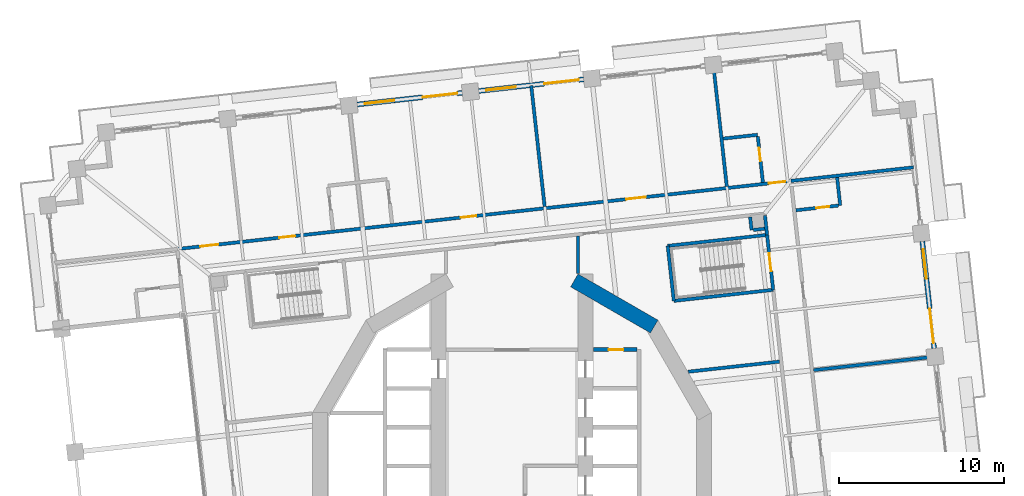
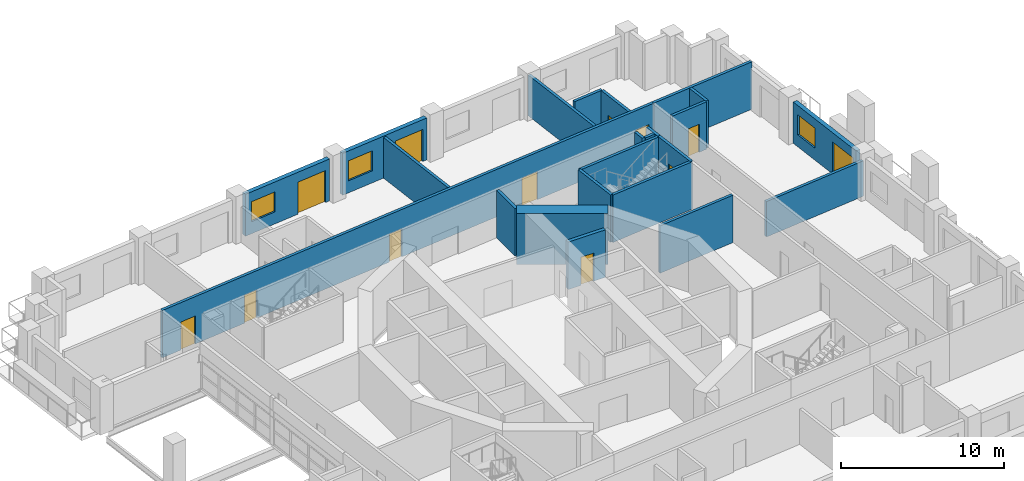
# One storey, part 12 of 21: 23 walls, 12 doors, 3 windows, 15 openings.
"""IFC4 building model written with IfcOpenShell, lengths in metres."""

from ifc_helpers import new_model, si_unit, direction, frame, frame_2d, origin, place, context, subcontext, project, spatial, rectangle, extrude, material, layer, layer_set, type_object, element, fill, save


model = new_model("IFC4")

# Units and contexts
model_context = context("Model", 3, precision=1e-05, world=origin(), true_north=direction((0.0, 1.0)))
body_context = subcontext(model_context, "Body", "Model", "MODEL_VIEW")
ifc_project = project(units=[si_unit("LENGTHUNIT", "METRE"), si_unit("AREAUNIT", "SQUARE_METRE"), si_unit("VOLUMEUNIT", "CUBIC_METRE"), si_unit("PLANEANGLEUNIT", "RADIAN"), si_unit("MASSUNIT", "GRAM", prefix="KILO")], contexts=[model_context])

# Site, building, storey
site_placement = place(None, origin())
site = spatial("IfcSite", under=ifc_project, at=site_placement, CompositionType="ELEMENT")
building_placement = place(site_placement, origin())
building = spatial("IfcBuilding", under=site, at=building_placement, Name="Cantera Rosa Tower", CompositionType="ELEMENT")
storey_placement = place(building_placement, frame((0.0, 0.0, 69.10009765625)))
storey = spatial("IfcBuildingStorey", under=building, at=storey_placement, Name="L14", CompositionType="ELEMENT", Elevation=69.10009765625)

# Walls
ifc_material_1 = material(Name="Gypsum board partition")
ifc_layer_1 = layer(ifc_material_1, 0.199951171875)
ifc_layer_set_1 = layer_set([ifc_layer_1], Name="CORRIDOR WALL 200 H3550")
wall_type_1 = type_object("IfcWallType", Name="CORRIDOR WALL 200 H3550", PredefinedType="PARTITIONING", material=ifc_layer_set_1)
wall_1_placement = place(storey_placement, frame((4.0, 11.667236328125, 0.0), z_axis=(0.0, 0.0, 1.0), x_axis=(0.0, 1.0, 0.0)))
element("IfcWall", 1, at=wall_1_placement, inside=storey, type_object=wall_type_1, Name="CORRIDOR WALL L14-062", PredefinedType="PARTITIONING", context=body_context, shape_type="SweptSolid", body=[
    extrude(rectangle(XDim=2.259765625, YDim=0.199951171875, at=frame_2d((1.1298828125, 0.0))), origin(), (0.0, 0.0, 1.0), 3.5498046875),
])
wall_2_placement = place(storey_placement, frame((15.44970703125, 14.001708984375, 0.0), z_axis=(0.0, 0.0, 1.0), x_axis=(-0.110341316069, 0.993893753863, 0.0)))
element("IfcWall", 2, at=wall_2_placement, inside=storey, type_object=wall_type_1, Name="CORRIDOR WALL L14-089", PredefinedType="PARTITIONING", context=body_context, shape_type="SweptSolid", body=[
    extrude(rectangle(XDim=1.188232421875, YDim=0.199951171875, at=frame_2d((0.59423828125, 0.0))), origin(), (0.0, 0.0, 1.0), 3.5498046875),
])

# Wall, openings, doors
wall_3_placement = place(storey_placement, frame((16.898193359375, 17.26953125, 0.0), z_axis=(0.0, 0.0, 1.0), x_axis=(-0.993896862852, -0.11031330841, 0.0)))
wall_3 = element("IfcWall", 3, at=wall_3_placement, inside=storey, type_object=wall_type_1, Name="CORRIDOR WALL L14-093", PredefinedType="PARTITIONING", context=body_context, shape_type="SweptSolid", body=[
    extrude(rectangle(XDim=37.400146484375, YDim=0.199951171875, at=frame_2d((18.7001953125, 0.0))), origin(), (0.0, 0.0, 1.0), 3.5498046875),
])
opening_1_placement = place(wall_3_placement, frame((8.85009765625, 0.0, 0.0)))
opening_1 = element("IfcOpeningElement", 4, at=opening_1_placement, cuts=wall_3, Name="Opening L14-025", PredefinedType="OPENING", context=body_context, shape_type="SweptSolid", body=[
    extrude(rectangle(XDim=1.199951171875, YDim=2.10009765625, at=frame_2d((0.60009765625, 1.050048828125))), frame((0.0, 0.10986328125, 0.0), z_axis=(0.0, -1.0, 0.0), x_axis=(1.0, 0.0, 0.0)), (0.0, 0.0, 1.0), 0.219970703125),
])
opening_2_placement = place(wall_3_placement, frame((19.175048828125, 0.0, 0.0)))
opening_2 = element("IfcOpeningElement", 5, at=opening_2_placement, cuts=wall_3, Name="Opening L14-026", PredefinedType="OPENING", context=body_context, shape_type="SweptSolid", body=[
    extrude(rectangle(XDim=0.949951171875, YDim=2.10009765625, at=frame_2d((0.47509765625, 1.050048828125))), frame((0.0, 0.10986328125, 0.0), z_axis=(0.0, -1.0, 0.0), x_axis=(1.0, 0.0, 0.0)), (0.0, 0.0, 1.0), 0.219970703125),
])
opening_3_placement = place(wall_3_placement, frame((30.22509765625, 0.0, 0.0)))
opening_3 = element("IfcOpeningElement", 6, at=opening_3_placement, cuts=wall_3, Name="Opening L14-028", PredefinedType="OPENING", context=body_context, shape_type="SweptSolid", body=[
    extrude(rectangle(XDim=0.949951171875, YDim=2.10009765625, at=frame_2d((0.47509765625, 1.050048828125))), frame((0.0, 0.10986328125, 0.0), z_axis=(0.0, -1.0, 0.0), x_axis=(1.0, 0.0, 0.0)), (0.0, 0.0, 1.0), 0.219970703125),
])
opening_4_placement = place(wall_3_placement, frame((0.35009765625, 0.0, 0.0)))
opening_4 = element("IfcOpeningElement", 7, at=opening_4_placement, cuts=wall_3, Name="Opening L14-030", PredefinedType="OPENING", context=body_context, shape_type="SweptSolid", body=[
    extrude(rectangle(XDim=1.0, YDim=2.10009765625, at=frame_2d((0.5, 1.050048828125))), frame((0.0, 0.10986328125, 0.0), z_axis=(0.0, -1.0, 0.0), x_axis=(1.0, 0.0, 0.0)), (0.0, 0.0, 1.0), 0.219970703125),
])
opening_5_placement = place(wall_3_placement, frame((34.89990234375, 0.0, 0.0)))
opening_5 = element("IfcOpeningElement", 8, at=opening_5_placement, cuts=wall_3, Name="Opening L14-032", PredefinedType="OPENING", context=body_context, shape_type="SweptSolid", body=[
    extrude(rectangle(XDim=1.10009765625, YDim=2.10009765625, at=frame_2d((0.550048828125, 1.050048828125))), frame((0.0, 0.10986328125, 0.0), z_axis=(0.0, -1.0, 0.0), x_axis=(1.0, 0.0, 0.0)), (0.0, 0.0, 1.0), 0.219970703125),
])
ifc_material_2 = material(Name="Timber door leaf", Category="wood")
door_type_1 = type_object("IfcDoorType", Name="ENTRANCE DOOR 1000x2100", OperationType="NOTDEFINED", PredefinedType="DOOR", material=ifc_material_2)
door_1_placement = place(opening_4_placement, origin())
door_1 = element("IfcDoor", 9, at=door_1_placement, inside=storey, type_object=door_type_1, Name="DOOR L14-030", OperationType="NOTDEFINED", OverallHeight=2.10009765625, OverallWidth=1.0, PredefinedType="DOOR", context=body_context, shape_type="SweptSolid", body=[
    extrude(rectangle(XDim=1.0, YDim=2.10009765625, at=frame_2d((0.5, 1.050048828125))), frame((0.0, 0.02490234375, 0.0), z_axis=(0.0, -1.0, 0.0), x_axis=(1.0, 0.0, 0.0)), (0.0, 0.0, 1.0), 0.050048828125),
])
fill(opening_4, door_1)
ifc_material_3 = material(Name="Timber door leaf", Category="wood")
door_type_2 = type_object("IfcDoorType", Name="ROOM DOOR 1100x2100", OperationType="NOTDEFINED", PredefinedType="DOOR", material=ifc_material_3)
door_2_placement = place(opening_5_placement, origin())
door_2 = element("IfcDoor", 10, at=door_2_placement, inside=storey, type_object=door_type_2, Name="DOOR L14-032", OperationType="NOTDEFINED", OverallHeight=2.10009765625, OverallWidth=1.10009765625, PredefinedType="DOOR", context=body_context, shape_type="SweptSolid", body=[
    extrude(rectangle(XDim=1.10009765625, YDim=2.10009765625, at=frame_2d((0.550048828125, 1.050048828125))), frame((0.0, 0.02490234375, 0.0), z_axis=(0.0, -1.0, 0.0), x_axis=(1.0, 0.0, 0.0)), (0.0, 0.0, 1.0), 0.050048828125),
])
fill(opening_5, door_2)
ifc_material_4 = material(Name="Timber door leaf", Category="wood")
door_type_3 = type_object("IfcDoorType", Name="ROOM DOOR 1200x2100", OperationType="NOTDEFINED", PredefinedType="DOOR", material=ifc_material_4)
door_3_placement = place(opening_1_placement, origin())
door_3 = element("IfcDoor", 11, at=door_3_placement, inside=storey, type_object=door_type_3, Name="DOOR L14-025", OperationType="NOTDEFINED", OverallHeight=2.10009765625, OverallWidth=1.199951171875, PredefinedType="DOOR", context=body_context, shape_type="SweptSolid", body=[
    extrude(rectangle(XDim=1.199951171875, YDim=2.10009765625, at=frame_2d((0.60009765625, 1.050048828125))), frame((0.0, 0.02490234375, 0.0), z_axis=(0.0, -1.0, 0.0), x_axis=(1.0, 0.0, 0.0)), (0.0, 0.0, 1.0), 0.050048828125),
])
fill(opening_1, door_3)
ifc_material_5 = material(Name="Timber door leaf", Category="wood")
door_type_4 = type_object("IfcDoorType", Name="ROOM DOOR 950x2100", OperationType="NOTDEFINED", PredefinedType="DOOR", material=ifc_material_5)
door_4_placement = place(opening_2_placement, origin())
door_4 = element("IfcDoor", 12, at=door_4_placement, inside=storey, type_object=door_type_4, Name="DOOR L14-026", OperationType="NOTDEFINED", OverallHeight=2.10009765625, OverallWidth=0.949951171875, PredefinedType="DOOR", context=body_context, shape_type="SweptSolid", body=[
    extrude(rectangle(XDim=0.949951171875, YDim=2.10009765625, at=frame_2d((0.47509765625, 1.050048828125))), frame((0.0, 0.02490234375, 0.0), z_axis=(0.0, -1.0, 0.0), x_axis=(1.0, 0.0, 0.0)), (0.0, 0.0, 1.0), 0.050048828125),
])
fill(opening_2, door_4)
door_5_placement = place(opening_3_placement, origin())
door_5 = element("IfcDoor", 13, at=door_5_placement, inside=storey, type_object=door_type_4, Name="DOOR L14-028", OperationType="NOTDEFINED", OverallHeight=2.10009765625, OverallWidth=0.949951171875, PredefinedType="DOOR", context=body_context, shape_type="SweptSolid", body=[
    extrude(rectangle(XDim=0.949951171875, YDim=2.10009765625, at=frame_2d((0.47509765625, 1.050048828125))), frame((0.0, 0.02490234375, 0.0), z_axis=(0.0, -1.0, 0.0), x_axis=(1.0, 0.0, 0.0)), (0.0, 0.0, 1.0), 0.050048828125),
])
fill(opening_3, door_5)

# Wall, openings, window, door
ifc_material_6 = material(Name="Hollow clay masonry with cantera stone cladding", Category="masonry")
ifc_layer_2 = layer(ifc_material_6, 0.300048828125)
ifc_layer_set_2 = layer_set([ifc_layer_2], Name="EW-LOGGIA 300 H3090")
wall_type_2 = type_object("IfcWallType", Name="EW-LOGGIA 300 H3090", PredefinedType="SOLIDWALL", material=ifc_layer_set_2)
wall_4_placement = place(storey_placement, frame((25.570068359375, 7.124267578125, 0.0), z_axis=(0.0, 0.0, 1.0), x_axis=(-0.110312341265, 0.993896970196, 0.0)))
wall_4 = element("IfcWall", 14, at=wall_4_placement, inside=storey, type_object=wall_type_2, Name="EN-L14-W04", PredefinedType="SOLIDWALL", context=body_context, shape_type="SweptSolid", body=[
    extrude(rectangle(XDim=6.52001953125, YDim=0.300048828125, at=frame_2d((3.260009765625, 0.0))), origin(), (0.0, 0.0, 1.0), 3.08984375),
])
opening_6_placement = place(wall_4_placement, frame((0.330078125, 0.0, 0.0)))
opening_6 = element("IfcOpeningElement", 15, at=opening_6_placement, cuts=wall_4, Name="Opening L14-TD07", PredefinedType="OPENING", context=body_context, shape_type="SweptSolid", body=[
    extrude(rectangle(XDim=2.10009765625, YDim=2.39990234375, at=frame_2d((1.050048828125, 1.199951171875))), frame((0.0, 0.159912109375, 0.0), z_axis=(0.0, -1.0, 0.0), x_axis=(1.0, 0.0, 0.0)), (0.0, 0.0, 1.0), 0.320068359375),
])
opening_7_placement = place(wall_4_placement, frame((4.239990234375, 0.0, 0.89990234375)))
opening_7 = element("IfcOpeningElement", 16, at=opening_7_placement, cuts=wall_4, Name="Opening L14-W08", PredefinedType="OPENING", context=body_context, shape_type="SweptSolid", body=[
    extrude(rectangle(XDim=1.800048828125, YDim=1.5, at=frame_2d((0.89990234375, 0.75))), frame((0.0, 0.159912109375, 0.0), z_axis=(0.0, -1.0, 0.0), x_axis=(1.0, 0.0, 0.0)), (0.0, 0.0, 1.0), 0.320068359375),
])
ifc_material_7 = material(Name="Aluminium frame with clear glass", Category="aluminium")
window_type = type_object("IfcWindowType", Name="Hotel room window 1800x1500", PartitioningType="DOUBLE_PANEL_VERTICAL", PredefinedType="WINDOW", material=ifc_material_7)
window_1_placement = place(opening_7_placement, origin())
window_1 = element("IfcWindow", 17, at=window_1_placement, inside=storey, type_object=window_type, Name="WINDOW L14-W08", OverallHeight=1.5, OverallWidth=1.800048828125, PartitioningType="SINGLE_PANEL", PredefinedType="WINDOW", context=body_context, shape_type="SweptSolid", body=[
    extrude(rectangle(XDim=1.800048828125, YDim=1.5, at=frame_2d((0.89990234375, 0.75))), frame((0.0, 0.030029296875, 0.0), z_axis=(0.0, -1.0, 0.0), x_axis=(1.0, 0.0, 0.0)), (0.0, 0.0, 1.0), 0.06005859375),
])
fill(opening_7, window_1)
ifc_material_8 = material(Name="Aluminium frame with clear glass", Category="aluminium")
door_type_5 = type_object("IfcDoorType", Name="TD-H 2100x2400", OperationType="NOTDEFINED", PredefinedType="DOOR", material=ifc_material_8)
door_6_placement = place(opening_6_placement, origin())
door_6 = element("IfcDoor", 18, at=door_6_placement, inside=storey, type_object=door_type_5, Name="LOGGIA DOOR L14-TD07", OperationType="SLIDING_TO_LEFT", OverallHeight=2.39990234375, OverallWidth=2.10009765625, PredefinedType="DOOR", context=body_context, shape_type="SweptSolid", body=[
    extrude(rectangle(XDim=2.10009765625, YDim=2.39990234375, at=frame_2d((1.050048828125, 1.199951171875))), frame((0.0, 0.02490234375, 0.0), z_axis=(0.0, -1.0, 0.0), x_axis=(1.0, 0.0, 0.0)), (0.0, 0.0, 1.0), 0.050048828125),
])
fill(opening_6, door_6)

ifc_material_9 = material(Name="Hollow clay masonry with cantera stone cladding", Category="masonry")
ifc_layer_3 = layer(ifc_material_9, 0.300048828125)
ifc_layer_set_3 = layer_set([ifc_layer_3], Name="EW-LOGGIA 300 H3140")
wall_type_3 = type_object("IfcWallType", Name="EW-LOGGIA 300 H3140", PredefinedType="SOLIDWALL", material=ifc_layer_set_3)
wall_5_placement = place(storey_placement, frame((4.3427734375, 23.422119140625, 0.0), z_axis=(0.0, 0.0, 1.0), x_axis=(-0.993895824271, -0.110322665379, 0.0)))
wall_5 = element("IfcWall", 19, at=wall_5_placement, inside=storey, type_object=wall_type_3, Name="EN-L14-W10", PredefinedType="SOLIDWALL", context=body_context, shape_type="SweptSolid", body=[
    extrude(rectangle(XDim=6.39990234375, YDim=0.300048828125, at=frame_2d((3.199951171875, 0.0))), origin(), (0.0, 0.0, 1.0), 3.139892578125),
])
opening_8_placement = place(wall_5_placement, frame((0.300048828125, 0.0, 0.0)))
opening_8 = element("IfcOpeningElement", 20, at=opening_8_placement, cuts=wall_5, Name="Opening L14-TD15", PredefinedType="OPENING", context=body_context, shape_type="SweptSolid", body=[
    extrude(rectangle(XDim=2.10009765625, YDim=2.39990234375, at=frame_2d((1.050048828125, 1.199951171875))), frame((0.0, 0.159912109375, 0.0), z_axis=(0.0, -1.0, 0.0), x_axis=(1.0, 0.0, 0.0)), (0.0, 0.0, 1.0), 0.320068359375),
])
opening_9_placement = place(wall_5_placement, frame((4.14990234375, 0.0, 0.89990234375)))
opening_9 = element("IfcOpeningElement", 21, at=opening_9_placement, cuts=wall_5, Name="Opening L14-W16", PredefinedType="OPENING", context=body_context, shape_type="SweptSolid", body=[
    extrude(rectangle(XDim=1.800048828125, YDim=1.5, at=frame_2d((0.89990234375, 0.75))), frame((0.0, 0.159912109375, 0.0), z_axis=(0.0, -1.0, 0.0), x_axis=(1.0, 0.0, 0.0)), (0.0, 0.0, 1.0), 0.320068359375),
])
window_2_placement = place(opening_9_placement, origin())
window_2 = element("IfcWindow", 22, at=window_2_placement, inside=storey, type_object=window_type, Name="WINDOW L14-W16", OverallHeight=1.5, OverallWidth=1.800048828125, PartitioningType="SINGLE_PANEL", PredefinedType="WINDOW", context=body_context, shape_type="SweptSolid", body=[
    extrude(rectangle(XDim=1.800048828125, YDim=1.5, at=frame_2d((0.89990234375, 0.75))), frame((0.0, 0.030029296875, 0.0), z_axis=(0.0, -1.0, 0.0), x_axis=(1.0, 0.0, 0.0)), (0.0, 0.0, 1.0), 0.06005859375),
])
fill(opening_9, window_2)
door_7_placement = place(opening_8_placement, origin())
door_7 = element("IfcDoor", 23, at=door_7_placement, inside=storey, type_object=door_type_5, Name="LOGGIA DOOR L14-TD15", OperationType="SLIDING_TO_LEFT", OverallHeight=2.39990234375, OverallWidth=2.10009765625, PredefinedType="DOOR", context=body_context, shape_type="SweptSolid", body=[
    extrude(rectangle(XDim=2.10009765625, YDim=2.39990234375, at=frame_2d((1.050048828125, 1.199951171875))), frame((0.0, 0.02490234375, 0.0), z_axis=(0.0, -1.0, 0.0), x_axis=(1.0, 0.0, 0.0)), (0.0, 0.0, 1.0), 0.050048828125),
])
fill(opening_8, door_7)

wall_6_placement = place(storey_placement, frame((-3.011962890625, 22.605712890625, 0.0), z_axis=(0.0, 0.0, 1.0), x_axis=(-0.993896288542, -0.110318482689, 0.0)))
wall_6 = element("IfcWall", 24, at=wall_6_placement, inside=storey, type_object=wall_type_3, Name="EN-L14-W11", PredefinedType="SOLIDWALL", context=body_context, shape_type="SweptSolid", body=[
    extrude(rectangle(XDim=6.400146484375, YDim=0.300048828125, at=frame_2d((3.2001953125, 0.0))), origin(), (0.0, 0.0, 1.0), 3.139892578125),
])
opening_10_placement = place(wall_6_placement, frame((0.300048828125, 0.0, 0.0)))
opening_10 = element("IfcOpeningElement", 25, at=opening_10_placement, cuts=wall_6, Name="Opening L14-TD17", PredefinedType="OPENING", context=body_context, shape_type="SweptSolid", body=[
    extrude(rectangle(XDim=2.10009765625, YDim=2.39990234375, at=frame_2d((1.050048828125, 1.199951171875))), frame((0.0, 0.159912109375, 0.0), z_axis=(0.0, -1.0, 0.0), x_axis=(1.0, 0.0, 0.0)), (0.0, 0.0, 1.0), 0.320068359375),
])
opening_11_placement = place(wall_6_placement, frame((4.14990234375, 0.0, 0.89990234375)))
opening_11 = element("IfcOpeningElement", 26, at=opening_11_placement, cuts=wall_6, Name="Opening L14-W18", PredefinedType="OPENING", context=body_context, shape_type="SweptSolid", body=[
    extrude(rectangle(XDim=1.800048828125, YDim=1.5, at=frame_2d((0.89990234375, 0.75))), frame((0.0, 0.159912109375, 0.0), z_axis=(0.0, -1.0, 0.0), x_axis=(1.0, 0.0, 0.0)), (0.0, 0.0, 1.0), 0.320068359375),
])
window_3_placement = place(opening_11_placement, origin())
window_3 = element("IfcWindow", 27, at=window_3_placement, inside=storey, type_object=window_type, Name="WINDOW L14-W18", OverallHeight=1.5, OverallWidth=1.800048828125, PartitioningType="SINGLE_PANEL", PredefinedType="WINDOW", context=body_context, shape_type="SweptSolid", body=[
    extrude(rectangle(XDim=1.800048828125, YDim=1.5, at=frame_2d((0.89990234375, 0.75))), frame((0.0, 0.030029296875, 0.0), z_axis=(0.0, -1.0, 0.0), x_axis=(1.0, 0.0, 0.0)), (0.0, 0.0, 1.0), 0.06005859375),
])
fill(opening_11, window_3)
door_8_placement = place(opening_10_placement, origin())
door_8 = element("IfcDoor", 28, at=door_8_placement, inside=storey, type_object=door_type_5, Name="LOGGIA DOOR L14-TD17", OperationType="SLIDING_TO_LEFT", OverallHeight=2.39990234375, OverallWidth=2.10009765625, PredefinedType="DOOR", context=body_context, shape_type="SweptSolid", body=[
    extrude(rectangle(XDim=2.10009765625, YDim=2.39990234375, at=frame_2d((1.050048828125, 1.199951171875))), frame((0.0, 0.02490234375, 0.0), z_axis=(0.0, -1.0, 0.0), x_axis=(1.0, 0.0, 0.0)), (0.0, 0.0, 1.0), 0.050048828125),
])
fill(opening_10, door_8)

# Walls
ifc_material_10 = material(Name="Gypsum board partition")
ifc_layer_4 = layer(ifc_material_10, 0.199951171875)
ifc_layer_set_4 = layer_set([ifc_layer_4], Name="PARTITION 200 H3550")
wall_type_4 = type_object("IfcWallType", Name="PARTITION 200 H3550", PredefinedType="PARTITIONING", material=ifc_layer_set_4)
wall_7_placement = place(storey_placement, frame((10.67822265625, 5.712890625, 0.0), z_axis=(0.0, 0.0, 1.0), x_axis=(0.993900868117, 0.110277215939, 0.0)))
element("IfcWall", 29, at=wall_7_placement, inside=storey, type_object=wall_type_4, Name="PARTITION L14-077", PredefinedType="PARTITIONING", context=body_context, shape_type="SweptSolid", body=[
    extrude(rectangle(XDim=5.556884765625, YDim=0.199951171875, at=frame_2d((2.7783203125, 0.0))), origin(), (0.0, 0.0, 1.0), 3.5498046875),
])
wall_8_placement = place(storey_placement, frame((12.790283203125, 19.83203125, 0.0), z_axis=(0.0, 0.0, 1.0), x_axis=(0.993895071737, 0.11032944474, 0.0)))
element("IfcWall", 30, at=wall_8_placement, inside=storey, type_object=wall_type_4, Name="PARTITION L14-079", PredefinedType="PARTITIONING", context=body_context, shape_type="SweptSolid", body=[
    extrude(rectangle(XDim=2.10009765625, YDim=0.199951171875, at=frame_2d((1.050048828125, 0.0))), origin(), (0.0, 0.0, 1.0), 3.5498046875),
])
wall_9_placement = place(storey_placement, frame((14.42431640625, 15.083251953125, 0.0), z_axis=(0.0, 0.0, 1.0), x_axis=(0.110163574714, -0.993913470482, 0.0)))
element("IfcWall", 31, at=wall_9_placement, inside=storey, type_object=wall_type_4, Name="PARTITION L14-080", PredefinedType="PARTITIONING", context=body_context, shape_type="SweptSolid", body=[
    extrude(rectangle(XDim=0.800048828125, YDim=0.199951171875, at=frame_2d((0.39990234375, 0.0))), origin(), (0.0, 0.0, 1.0), 3.5498046875),
])
wall_10_placement = place(storey_placement, frame((14.61181640625, 14.299072265625, 0.0), z_axis=(0.0, 0.0, 1.0), x_axis=(0.993870969748, 0.110546349969, 0.0)))
element("IfcWall", 32, at=wall_10_placement, inside=storey, type_object=wall_type_4, Name="PARTITION L14-081", PredefinedType="PARTITIONING", context=body_context, shape_type="SweptSolid", body=[
    extrude(rectangle(XDim=0.7001953125, YDim=0.199951171875, at=frame_2d((0.35009765625, 0.0))), origin(), (0.0, 0.0, 1.0), 3.5498046875),
])

# Wall, opening, door
wall_11_placement = place(storey_placement, frame((14.888671875, 19.964111328125, 0.0), z_axis=(0.0, 0.0, 1.0), x_axis=(0.110307106705, -0.993897551164, 0.0)))
wall_11 = element("IfcWall", 33, at=wall_11_placement, inside=storey, type_object=wall_type_4, Name="PARTITION L14-082", PredefinedType="PARTITIONING", context=body_context, shape_type="SweptSolid", body=[
    extrude(rectangle(XDim=2.7998046875, YDim=0.199951171875, at=frame_2d((1.39990234375, 0.0))), origin(), (0.0, 0.0, 1.0), 3.5498046875),
])
opening_12_placement = place(wall_11_placement, frame((0.699951171875, 0.0, 0.0)))
opening_12 = element("IfcOpeningElement", 34, at=opening_12_placement, cuts=wall_11, Name="Opening L14-031", PredefinedType="OPENING", context=body_context, shape_type="SweptSolid", body=[
    extrude(rectangle(XDim=0.800048828125, YDim=2.10009765625, at=frame_2d((0.39990234375, 1.050048828125))), frame((0.0, 0.10986328125, 0.0), z_axis=(0.0, -1.0, 0.0), x_axis=(1.0, 0.0, 0.0)), (0.0, 0.0, 1.0), 0.219970703125),
])
ifc_material_11 = material(Name="Timber door leaf", Category="wood")
door_type_6 = type_object("IfcDoorType", Name="BATHROOM DOOR 800x2100", OperationType="NOTDEFINED", PredefinedType="DOOR", material=ifc_material_11)
door_9_placement = place(opening_12_placement, origin())
door_9 = element("IfcDoor", 35, at=door_9_placement, inside=storey, type_object=door_type_6, Name="DOOR L14-031", OperationType="NOTDEFINED", OverallHeight=2.10009765625, OverallWidth=0.800048828125, PredefinedType="DOOR", context=body_context, shape_type="SweptSolid", body=[
    extrude(rectangle(XDim=0.800048828125, YDim=2.10009765625, at=frame_2d((0.39990234375, 1.050048828125))), frame((0.0, 0.02490234375, 0.0), z_axis=(0.0, -1.0, 0.0), x_axis=(1.0, 0.0, 0.0)), (0.0, 0.0, 1.0), 0.050048828125),
])
fill(opening_12, door_9)

# Wall
wall_12_placement = place(storey_placement, frame((19.69189453125, 17.47900390625, 0.0), z_axis=(0.0, 0.0, 1.0), x_axis=(0.110431526075, -0.993883734674, 0.0)))
element("IfcWall", 36, at=wall_12_placement, inside=storey, type_object=wall_type_4, Name="PARTITION L14-102", PredefinedType="PARTITIONING", context=body_context, shape_type="SweptSolid", body=[
    extrude(rectangle(XDim=1.7001953125, YDim=0.199951171875, at=frame_2d((0.85009765625, 0.0))), origin(), (0.0, 0.0, 1.0), 3.5498046875),
])

# Wall, opening, door
wall_13_placement = place(storey_placement, frame((19.7802734375, 15.7783203125, 0.0), z_axis=(0.0, 0.0, 1.0), x_axis=(-0.993895180132, -0.110328468272, 0.0)))
wall_13 = element("IfcWall", 37, at=wall_13_placement, inside=storey, type_object=wall_type_4, Name="PARTITION L14-103", PredefinedType="PARTITIONING", context=body_context, shape_type="SweptSolid", body=[
    extrude(rectangle(XDim=2.60009765625, YDim=0.199951171875, at=frame_2d((1.300048828125, 0.0))), origin(), (0.0, 0.0, 1.0), 3.5498046875),
])
opening_13_placement = place(wall_13_placement, frame((0.56396484375, 0.0, 0.0)))
opening_13 = element("IfcOpeningElement", 38, at=opening_13_placement, cuts=wall_13, Name="Opening L14-024", PredefinedType="OPENING", context=body_context, shape_type="SweptSolid", body=[
    extrude(rectangle(XDim=0.800048828125, YDim=2.10009765625, at=frame_2d((0.39990234375, 1.050048828125))), frame((0.0, 0.10986328125, 0.0), z_axis=(0.0, -1.0, 0.0), x_axis=(1.0, 0.0, 0.0)), (0.0, 0.0, 1.0), 0.219970703125),
])
door_10_placement = place(opening_13_placement, origin())
door_10 = element("IfcDoor", 39, at=door_10_placement, inside=storey, type_object=door_type_6, Name="DOOR L14-024", OperationType="NOTDEFINED", OverallHeight=2.10009765625, OverallWidth=0.800048828125, PredefinedType="DOOR", context=body_context, shape_type="SweptSolid", body=[
    extrude(rectangle(XDim=0.800048828125, YDim=2.10009765625, at=frame_2d((0.39990234375, 1.050048828125))), frame((0.0, 0.02490234375, 0.0), z_axis=(0.0, -1.0, 0.0), x_axis=(1.0, 0.0, 0.0)), (0.0, 0.0, 1.0), 0.050048828125),
])
fill(opening_13, door_10)

# Walls
ifc_material_12 = material(Name="Gypsum board partition")
ifc_layer_5 = layer(ifc_material_12, 0.199951171875)
ifc_layer_set_5 = layer_set([ifc_layer_5], Name="PARTY WALL 200 H2650")
wall_type_5 = type_object("IfcWallType", Name="PARTY WALL 200 H2650", PredefinedType="PARTITIONING", material=ifc_layer_set_5)
wall_14_placement = place(storey_placement, frame((18.2705078125, 5.810791015625, 0.0), z_axis=(0.0, 0.0, 1.0), x_axis=(0.993897058864, 0.11031154238, 0.0)))
element("IfcWall", 40, at=wall_14_placement, inside=storey, type_object=wall_type_5, Name="PARTY WALL L14-097", PredefinedType="PARTITIONING", context=body_context, shape_type="SweptSolid", body=[
    extrude(rectangle(XDim=7.369873046875, YDim=0.199951171875, at=frame_2d((3.68505859375, 0.0))), origin(), (0.0, 0.0, 1.0), 2.64990234375),
])
ifc_material_13 = material(Name="Gypsum board partition")
ifc_layer_6 = layer(ifc_material_13, 0.199951171875)
ifc_layer_set_6 = layer_set([ifc_layer_6], Name="PARTY WALL 200 H3050")
wall_type_6 = type_object("IfcWallType", Name="PARTY WALL 200 H3050", PredefinedType="PARTITIONING", material=ifc_layer_set_6)
wall_15_placement = place(storey_placement, frame((1.978515625, 15.714111328125, 0.0), z_axis=(0.0, 0.0, 1.0), x_axis=(-0.110307910555, 0.993897461949, 0.0)))
element("IfcWall", 41, at=wall_15_placement, inside=storey, type_object=wall_type_6, Name="PARTY WALL L14-058", PredefinedType="PARTITIONING", context=body_context, shape_type="SweptSolid", body=[
    extrude(rectangle(XDim=7.3701171875, YDim=0.199951171875, at=frame_2d((3.68505859375, 0.0))), origin(), (0.0, 0.0, 1.0), 3.0498046875),
])
wall_16_placement = place(storey_placement, frame((12.197998046875, 24.263671875, 0.0), z_axis=(0.0, 0.0, 1.0), x_axis=(0.11031154238, -0.993897058864, 0.0)))
element("IfcWall", 42, at=wall_16_placement, inside=storey, type_object=wall_type_6, Name="PARTY WALL L14-078", PredefinedType="PARTITIONING", context=body_context, shape_type="SweptSolid", body=[
    extrude(rectangle(XDim=7.369873046875, YDim=0.199951171875, at=frame_2d((3.68505859375, 0.0))), origin(), (0.0, 0.0, 1.0), 3.0498046875),
])
ifc_material_14 = material(Name="Gypsum board partition")
ifc_layer_7 = layer(ifc_material_14, 0.199951171875)
ifc_layer_set_7 = layer_set([ifc_layer_7], Name="PARTY WALL 200 H3550")
wall_type_7 = type_object("IfcWallType", Name="PARTY WALL 200 H3550", PredefinedType="PARTITIONING", material=ifc_layer_set_7)
wall_17_placement = place(storey_placement, frame((16.898193359375, 17.26953125, 0.0), z_axis=(0.0, 0.0, 1.0), x_axis=(0.993897676912, 0.110305973679, 0.0)))
element("IfcWall", 43, at=wall_17_placement, inside=storey, type_object=wall_type_7, Name="PARTY WALL L14-094", PredefinedType="PARTITIONING", context=body_context, shape_type="SweptSolid", body=[
    extrude(rectangle(XDim=7.469970703125, YDim=0.199951171875, at=frame_2d((3.73486328125, 0.0))), origin(), (0.0, 0.0, 1.0), 3.5498046875),
])
ifc_material_15 = material(Name="Concrete C70/85", Category="concrete")
ifc_layer_8 = layer(ifc_material_15, 0.89990234375)
ifc_layer_set_8 = layer_set([ifc_layer_8], Name="RC CORE WALL 900 C70/85")
wall_type_8 = type_object("IfcWallType", Name="RC CORE WALL 900 C70/85", PredefinedType="SHEAR", material=ifc_layer_set_8)
wall_18_placement = place(storey_placement, frame((3.77490234375, 11.242919921875, 0.0), z_axis=(0.0, 0.0, 1.0), x_axis=(0.866026961591, -0.49999730179, 0.0)))
element("IfcWall", 44, at=wall_18_placement, inside=storey, type_object=wall_type_8, Name="CW-E1 L14", PredefinedType="SHEAR", context=body_context, shape_type="SweptSolid", body=[
    extrude(rectangle(XDim=5.58740234375, YDim=0.89990234375, at=frame_2d((2.793701171875, 0.0))), origin(), (0.0, 0.0, 1.0), 3.7998046875),
])

# Wall, opening, door
ifc_material_16 = material(Name="Masonry blockwork", Category="masonry")
ifc_layer_9 = layer(ifc_material_16, 0.25)
ifc_layer_set_9 = layer_set([ifc_layer_9], Name="SHAFT WALL 250 H3550")
wall_type_9 = type_object("IfcWallType", Name="SHAFT WALL 250 H3550", PredefinedType="SOLIDWALL", material=ifc_layer_set_9)
wall_19_placement = place(storey_placement, frame((7.580078125, 7.050048828125, 0.0), z_axis=(0.0, 0.0, 1.0), x_axis=(-1.0, 0.0, 0.0)))
wall_19 = element("IfcWall", 45, at=wall_19_placement, inside=storey, type_object=wall_type_9, Name="SHAFT WALL L14-071", PredefinedType="SOLIDWALL", context=body_context, shape_type="SweptSolid", body=[
    extrude(rectangle(XDim=2.650146484375, YDim=0.25, at=frame_2d((1.3251953125, 0.0))), origin(), (0.0, 0.0, 1.0), 3.5498046875),
])
opening_14_placement = place(wall_19_placement, frame((0.830078125, 0.0, 0.0)))
opening_14 = element("IfcOpeningElement", 46, at=opening_14_placement, cuts=wall_19, Name="Opening L14-046", PredefinedType="OPENING", context=body_context, shape_type="SweptSolid", body=[
    extrude(rectangle(XDim=0.89990234375, YDim=2.10009765625, at=frame_2d((0.449951171875, 1.050048828125))), frame((0.0, 0.135009765625, 0.0), z_axis=(0.0, -1.0, 0.0), x_axis=(1.0, 0.0, 0.0)), (0.0, 0.0, 1.0), 0.27001953125),
])
ifc_material_17 = material(Name="Timber door leaf", Category="wood")
door_type_7 = type_object("IfcDoorType", Name="SERVICE DOOR 900x2100", OperationType="NOTDEFINED", PredefinedType="DOOR", material=ifc_material_17)
door_11_placement = place(opening_14_placement, origin())
door_11 = element("IfcDoor", 47, at=door_11_placement, inside=storey, type_object=door_type_7, Name="RISER DOOR L14-046", OperationType="NOTDEFINED", OverallHeight=2.10009765625, OverallWidth=0.89990234375, PredefinedType="DOOR", context=body_context, shape_type="SweptSolid", body=[
    extrude(rectangle(XDim=0.89990234375, YDim=2.10009765625, at=frame_2d((0.449951171875, 1.050048828125))), frame((0.0, 0.02490234375, 0.0), z_axis=(0.0, -1.0, 0.0), x_axis=(1.0, 0.0, 0.0)), (0.0, 0.0, 1.0), 0.050048828125),
])
fill(opening_14, door_11)

# Walls
ifc_material_18 = material(Name="Concrete C50/60", Category="concrete")
ifc_layer_10 = layer(ifc_material_18, 0.199951171875)
ifc_layer_set_10 = layer_set([ifc_layer_10], Name="STAIR WALL 200 H3550")
wall_type_10 = type_object("IfcWallType", Name="STAIR WALL 200 H3550", PredefinedType="SOLIDWALL", material=ifc_layer_set_10)
wall_20_placement = place(storey_placement, frame((9.43359375, 13.333740234375, 0.0), z_axis=(0.0, 0.0, 1.0), x_axis=(0.11027153821, -0.993901498067, 0.0)))
element("IfcWall", 48, at=wall_20_placement, inside=storey, type_object=wall_type_10, Name="STAIR WALL L14-075", PredefinedType="SOLIDWALL", context=body_context, shape_type="SweptSolid", body=[
    extrude(rectangle(XDim=3.349853515625, YDim=0.199951171875, at=frame_2d((1.6748046875, 0.0))), origin(), (0.0, 0.0, 1.0), 3.5498046875),
])
wall_21_placement = place(storey_placement, frame((9.802978515625, 10.00439453125, 0.0), z_axis=(0.0, 0.0, 1.0), x_axis=(0.993897498792, 0.11030757859, 0.0)))
element("IfcWall", 49, at=wall_21_placement, inside=storey, type_object=wall_type_10, Name="STAIR WALL L14-076", PredefinedType="SOLIDWALL", context=body_context, shape_type="SweptSolid", body=[
    extrude(rectangle(XDim=6.05322265625, YDim=0.199951171875, at=frame_2d((3.026611328125, 0.0))), origin(), (0.0, 0.0, 1.0), 3.5498046875),
])
wall_22_placement = place(storey_placement, frame((15.44970703125, 14.001708984375, 0.0), z_axis=(0.0, 0.0, 1.0), x_axis=(-0.993892585125, -0.110351842907, 0.0)))
element("IfcWall", 50, at=wall_22_placement, inside=storey, type_object=wall_type_10, Name="STAIR WALL L14-088", PredefinedType="SOLIDWALL", context=body_context, shape_type="SweptSolid", body=[
    extrude(rectangle(XDim=6.052978515625, YDim=0.199951171875, at=frame_2d((3.0263671875, 0.0))), origin(), (0.0, 0.0, 1.0), 3.5498046875),
])

# Wall, opening, door
wall_23_placement = place(storey_placement, frame((15.8193359375, 10.672119140625, 0.0), z_axis=(0.0, 0.0, 1.0), x_axis=(-0.110335541424, 0.993894394943, 0.0)))
wall_23 = element("IfcWall", 51, at=wall_23_placement, inside=storey, type_object=wall_type_10, Name="STAIR WALL L14-090", PredefinedType="SOLIDWALL", context=body_context, shape_type="SweptSolid", body=[
    extrude(rectangle(XDim=3.35009765625, YDim=0.199951171875, at=frame_2d((1.675048828125, 0.0))), origin(), (0.0, 0.0, 1.0), 3.5498046875),
])
opening_15_placement = place(wall_23_placement, frame((1.125, 0.0, 0.0)))
opening_15 = element("IfcOpeningElement", 52, at=opening_15_placement, cuts=wall_23, Name="Opening L14-001", PredefinedType="OPENING", context=body_context, shape_type="SweptSolid", body=[
    extrude(rectangle(XDim=1.10009765625, YDim=2.10009765625, at=frame_2d((0.550048828125, 1.050048828125))), frame((0.0, 0.10986328125, 0.0), z_axis=(0.0, -1.0, 0.0), x_axis=(1.0, 0.0, 0.0)), (0.0, 0.0, 1.0), 0.219970703125),
])
ifc_material_19 = material(Name="Steel S355J2 (EN 10025-2)", Category="steel")
door_type_8 = type_object("IfcDoorType", Name="STAIR DOOR 1100x2100", OperationType="NOTDEFINED", PredefinedType="DOOR", material=ifc_material_19)
door_12_placement = place(opening_15_placement, origin())
door_12 = element("IfcDoor", 53, at=door_12_placement, inside=storey, type_object=door_type_8, Name="DOOR L14-001", OperationType="NOTDEFINED", OverallHeight=2.10009765625, OverallWidth=1.10009765625, PredefinedType="DOOR", context=body_context, shape_type="SweptSolid", body=[
    extrude(rectangle(XDim=1.10009765625, YDim=2.10009765625, at=frame_2d((0.550048828125, 1.050048828125))), frame((0.0, 0.02490234375, 0.0), z_axis=(0.0, -1.0, 0.0), x_axis=(1.0, 0.0, 0.0)), (0.0, 0.0, 1.0), 0.050048828125),
])
fill(opening_15, door_12)

save(model, "model.ifc")
